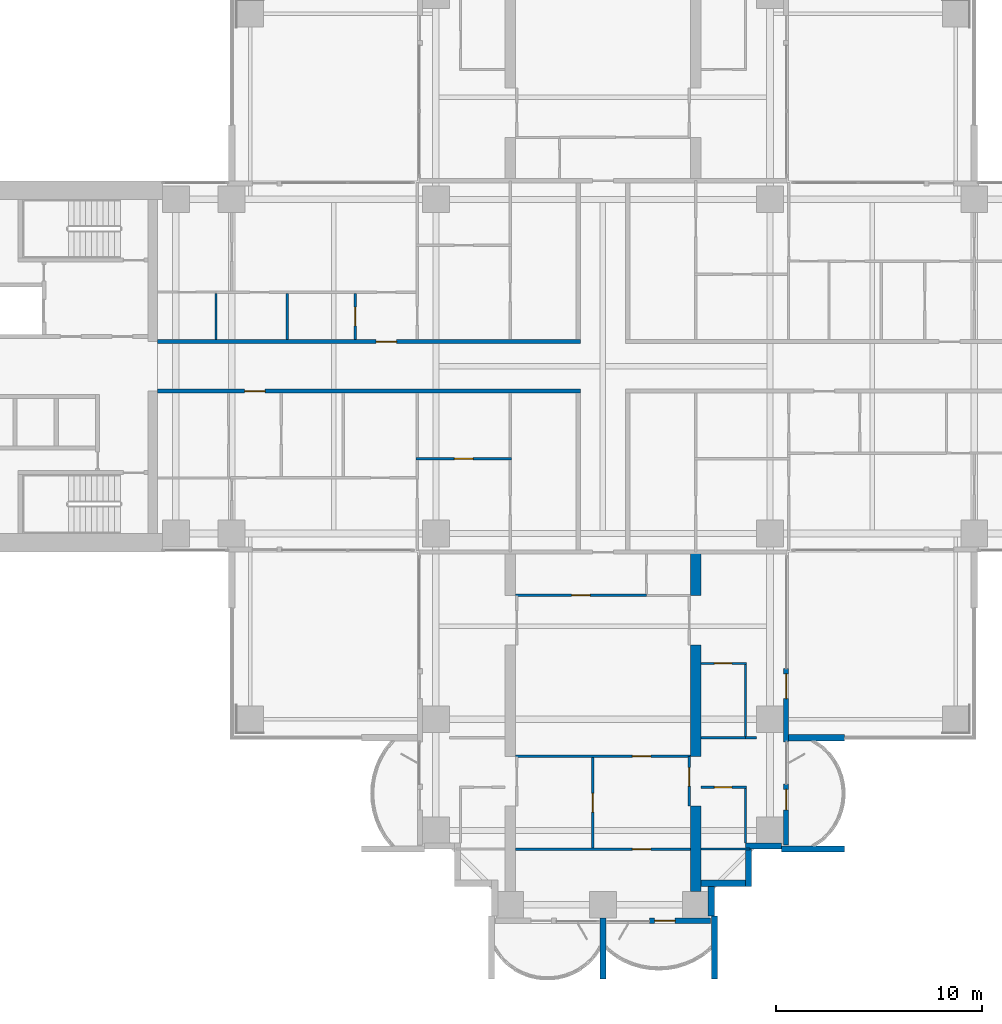
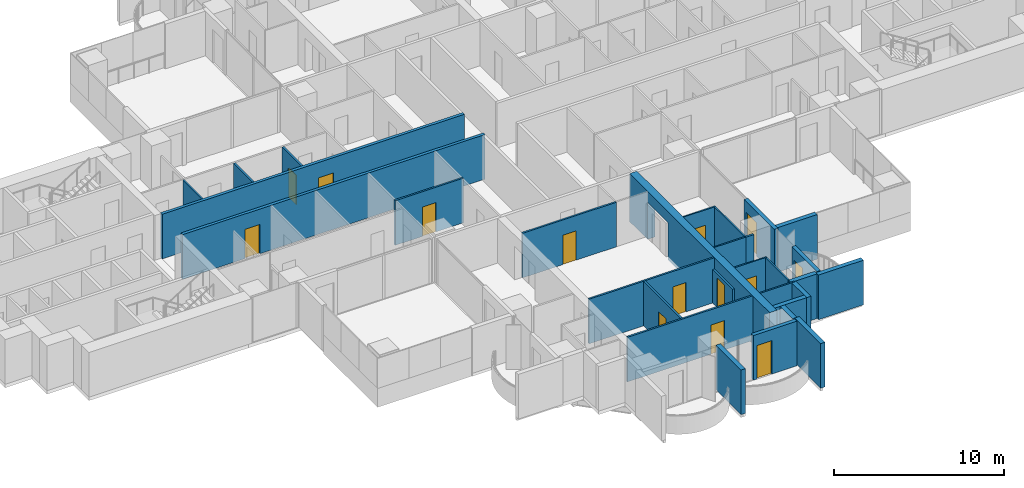
# One storey, part 11 of 21: 30 walls, 14 doors, 14 openings.
"""IFC4 building model written with IfcOpenShell, lengths in metres."""

from ifc_helpers import new_model, si_unit, direction, frame, frame_2d, origin, place, context, subcontext, project, spatial, polyline, rectangle, outline, extrude, material, layer, layer_set, material_profile, profile_set, type_object, element, fill, save


model = new_model("IFC4")

# Units and contexts
model_context = context("Model", 3, precision=1e-05, world=origin(), true_north=direction((0.0, 1.0)))
body_context = subcontext(model_context, "Body", "Model", "MODEL_VIEW")
ifc_project = project(units=[si_unit("LENGTHUNIT", "METRE"), si_unit("AREAUNIT", "SQUARE_METRE"), si_unit("VOLUMEUNIT", "CUBIC_METRE"), si_unit("PLANEANGLEUNIT", "RADIAN"), si_unit("MASSUNIT", "GRAM", prefix="KILO")], contexts=[model_context])

# Site, building, storey
site_placement = place(None, origin())
site = spatial("IfcSite", under=ifc_project, at=site_placement, CompositionType="ELEMENT")
building_placement = place(site_placement, origin())
building = spatial("IfcBuilding", under=site, at=building_placement, Name="Perihelion Cross Residences", CompositionType="ELEMENT")
storey_placement = place(building_placement, frame((0.0, 0.0, 89.0)))
storey = spatial("IfcBuildingStorey", under=building, at=storey_placement, Name="L20", CompositionType="ELEMENT", Elevation=89.0)

# Wall, opening, door
ifc_material_1 = material(Name="Plasterboard partition")
ifc_layer_1 = layer(ifc_material_1, 0.199951171875)
ifc_layer_set_1 = layer_set([ifc_layer_1], Name="Apartment separation wall 200")
wall_type_1 = type_object("IfcWallType", Name="Apartment separation wall 200", PredefinedType="PARTITIONING", material=ifc_layer_set_1)
wall_1_placement = place(storey_placement, frame((-21.60009765625, 1.199951171875, 0.0), z_axis=(0.0, 0.0, 1.0), x_axis=(1.0, 0.0, 0.0)))
wall_1 = element("IfcWall", 1, at=wall_1_placement, inside=storey, type_object=wall_type_1, Name="Partition L20 W005", PredefinedType="PARTITIONING", context=body_context, shape_type="SweptSolid", body=[
    extrude(rectangle(XDim=20.5, YDim=0.199951171875, at=frame_2d((10.25, 0.0))), origin(), (0.0, 0.0, 1.0), 3.199951171875),
])
opening_1_placement = place(wall_1_placement, frame((10.60009765625, 0.0, 0.0)))
opening_1 = element("IfcOpeningElement", 2, at=opening_1_placement, cuts=wall_1, Name="Opening L20.A55", PredefinedType="OPENING", context=body_context, shape_type="SweptSolid", body=[
    extrude(rectangle(XDim=1.0, YDim=2.10009765625, at=frame_2d((0.5, 1.050048828125))), frame((0.0, 0.10986328125, 0.0), z_axis=(0.0, -1.0, 0.0), x_axis=(1.0, 0.0, 0.0)), (0.0, 0.0, 1.0), 0.219970703125),
])
ifc_material_2 = material(Name="Timber door leaf", Category="wood")
door_type_1 = type_object("IfcDoorType", Name="Flat entrance door 1000 x 2100", OperationType="SINGLE_SWING_LEFT", PredefinedType="DOOR", material=ifc_material_2)
door_1_placement = place(opening_1_placement, origin())
door_1 = element("IfcDoor", 3, at=door_1_placement, inside=storey, type_object=door_type_1, Name="Door L20.A55", OperationType="SINGLE_SWING_LEFT", OverallHeight=2.10009765625, OverallWidth=1.0, PredefinedType="DOOR", context=body_context, shape_type="SweptSolid", body=[
    extrude(rectangle(XDim=1.0, YDim=2.10009765625, at=frame_2d((0.5, 1.050048828125))), frame((0.0, 0.02490234375, 0.0), z_axis=(0.0, -1.0, 0.0), x_axis=(1.0, 0.0, 0.0)), (0.0, 0.0, 1.0), 0.050048828125),
])
fill(opening_1, door_1)

wall_2_placement = place(storey_placement, frame((-1.10009765625, -1.199951171875, 0.0), z_axis=(0.0, 0.0, 1.0), x_axis=(-1.0, 0.0, 0.0)))
wall_2 = element("IfcWall", 4, at=wall_2_placement, inside=storey, type_object=wall_type_1, Name="Partition L20 W007", PredefinedType="PARTITIONING", context=body_context, shape_type="SweptSolid", body=[
    extrude(rectangle(XDim=20.5, YDim=0.199951171875, at=frame_2d((10.25, 0.0))), origin(), (0.0, 0.0, 1.0), 3.199951171875),
])
opening_2_placement = place(wall_2_placement, frame((15.27490234375, 0.0, 0.0)))
opening_2 = element("IfcOpeningElement", 5, at=opening_2_placement, cuts=wall_2, Name="Opening L20.A56", PredefinedType="OPENING", context=body_context, shape_type="SweptSolid", body=[
    extrude(rectangle(XDim=1.0, YDim=2.10009765625, at=frame_2d((0.5, 1.050048828125))), frame((0.0, 0.10986328125, 0.0), z_axis=(0.0, -1.0, 0.0), x_axis=(1.0, 0.0, 0.0)), (0.0, 0.0, 1.0), 0.219970703125),
])
door_2_placement = place(opening_2_placement, origin())
door_2 = element("IfcDoor", 6, at=door_2_placement, inside=storey, type_object=door_type_1, Name="Door L20.A56", OperationType="SINGLE_SWING_RIGHT", OverallHeight=2.10009765625, OverallWidth=1.0, PredefinedType="DOOR", context=body_context, shape_type="SweptSolid", body=[
    extrude(rectangle(XDim=1.0, YDim=2.10009765625, at=frame_2d((0.5, 1.050048828125))), frame((0.0, 0.02490234375, 0.0), z_axis=(0.0, -1.0, 0.0), x_axis=(1.0, 0.0, 0.0)), (0.0, 0.0, 1.0), 0.050048828125),
])
fill(opening_2, door_2)

ifc_material_3 = material(Name="Concrete C30/37, bronze-clad", Category="concrete")
ifc_layer_2 = layer(ifc_material_3, 0.25)
ifc_layer_set_2 = layer_set([ifc_layer_2], Name="Bronze-clad pier wall 250")
wall_type_2 = type_object("IfcWallType", Name="Bronze-clad pier wall 250", PredefinedType="SOLIDWALL", material=ifc_layer_set_2)
wall_3_placement = place(storey_placement, frame((2.25, -26.875, 0.0), z_axis=(0.0, 0.0, 1.0), x_axis=(1.0, 0.0, 0.0)))
wall_3 = element("IfcWall", 7, at=wall_3_placement, inside=storey, type_object=wall_type_2, Name="Wall FW1 L20 south tip south bay 2 pier", PredefinedType="SOLIDWALL", context=body_context, shape_type="SweptSolid", body=[
    extrude(rectangle(XDim=2.949951171875, YDim=0.25, at=frame_2d((1.47509765625, 0.0))), origin(), (0.0, 0.0, 1.0), 3.199951171875),
])
opening_3_placement = place(wall_3_placement, frame((0.25, 0.0, 0.0)))
opening_3 = element("IfcOpeningElement", 8, at=opening_3_placement, cuts=wall_3, Name="Opening L20.E13", PredefinedType="OPENING", context=body_context, shape_type="SweptSolid", body=[
    extrude(rectangle(XDim=1.0, YDim=2.39990234375, at=frame_2d((0.5, 1.199951171875))), frame((0.0, 0.135009765625, 0.0), z_axis=(0.0, -1.0, 0.0), x_axis=(1.0, 0.0, 0.0)), (0.0, 0.0, 1.0), 0.27001953125),
])
ifc_material_4 = material(Name="Bronze anodised aluminium, glazed", Category="aluminium")
door_type_2 = type_object("IfcDoorType", Name="Balcony door 1000 x 2400", OperationType="NOTDEFINED", PredefinedType="DOOR", material=ifc_material_4)
door_3_placement = place(opening_3_placement, origin())
door_3 = element("IfcDoor", 9, at=door_3_placement, inside=storey, type_object=door_type_2, Name="Door L20.E13 south tip south bay 2", OperationType="SINGLE_SWING_RIGHT", OverallHeight=2.39990234375, OverallWidth=1.0, PredefinedType="DOOR", context=body_context, shape_type="SweptSolid", body=[
    extrude(rectangle(XDim=1.0, YDim=2.39990234375, at=frame_2d((0.5, 1.199951171875))), frame((0.0, 0.02490234375, 0.0), z_axis=(0.0, -1.0, 0.0), x_axis=(1.0, 0.0, 0.0)), (0.0, 0.0, 1.0), 0.050048828125),
])
fill(opening_3, door_3)

wall_4_placement = place(storey_placement, frame((8.875, -23.199951171875, 0.0), z_axis=(0.0, 0.0, 1.0), x_axis=(0.0, 1.0, 0.0)))
wall_4 = element("IfcWall", 10, at=wall_4_placement, inside=storey, type_object=wall_type_2, Name="Wall FW1 L20 south side east bay 1 pier", PredefinedType="SOLIDWALL", context=body_context, shape_type="SweptSolid", body=[
    extrude(rectangle(XDim=2.949951171875, YDim=0.25, at=frame_2d((1.47509765625, 0.0))), origin(), (0.0, 0.0, 1.0), 3.199951171875),
])
opening_4_placement = place(wall_4_placement, frame((1.699951171875, 0.0, 0.0)))
opening_4 = element("IfcOpeningElement", 11, at=opening_4_placement, cuts=wall_4, Name="Opening L20.E14", PredefinedType="OPENING", context=body_context, shape_type="SweptSolid", body=[
    extrude(rectangle(XDim=1.0, YDim=2.39990234375, at=frame_2d((0.5, 1.199951171875))), frame((0.0, 0.135009765625, 0.0), z_axis=(0.0, -1.0, 0.0), x_axis=(1.0, 0.0, 0.0)), (0.0, 0.0, 1.0), 0.27001953125),
])
door_4_placement = place(opening_4_placement, origin())
door_4 = element("IfcDoor", 12, at=door_4_placement, inside=storey, type_object=door_type_2, Name="Door L20.E14 south side east bay 1", OperationType="SINGLE_SWING_LEFT", OverallHeight=2.39990234375, OverallWidth=1.0, PredefinedType="DOOR", context=body_context, shape_type="SweptSolid", body=[
    extrude(rectangle(XDim=1.0, YDim=2.39990234375, at=frame_2d((0.5, 1.199951171875))), frame((0.0, 0.02490234375, 0.0), z_axis=(0.0, -1.0, 0.0), x_axis=(1.0, 0.0, 0.0)), (0.0, 0.0, 1.0), 0.050048828125),
])
fill(opening_4, door_4)

wall_5_placement = place(storey_placement, frame((8.875, -18.199951171875, 0.0), z_axis=(0.0, 0.0, 1.0), x_axis=(0.0, 1.0, 0.0)))
wall_5 = element("IfcWall", 13, at=wall_5_placement, inside=storey, type_object=wall_type_2, Name="Wall FW1 L20 south side east bay 2 pier", PredefinedType="SOLIDWALL", context=body_context, shape_type="SweptSolid", body=[
    extrude(rectangle(XDim=3.550048828125, YDim=0.25, at=frame_2d((1.77490234375, 0.0))), origin(), (0.0, 0.0, 1.0), 3.199951171875),
])
opening_5_placement = place(wall_5_placement, frame((2.10009765625, 0.0, 0.0)))
opening_5 = element("IfcOpeningElement", 14, at=opening_5_placement, cuts=wall_5, Name="Opening L20.E15", PredefinedType="OPENING", context=body_context, shape_type="SweptSolid", body=[
    extrude(rectangle(XDim=1.199951171875, YDim=2.39990234375, at=frame_2d((0.60009765625, 1.199951171875))), frame((0.0, 0.135009765625, 0.0), z_axis=(0.0, -1.0, 0.0), x_axis=(1.0, 0.0, 0.0)), (0.0, 0.0, 1.0), 0.27001953125),
])
ifc_material_5 = material(Name="Bronze anodised aluminium, glazed", Category="aluminium")
door_type_3 = type_object("IfcDoorType", Name="Balcony door 1200 x 2400", OperationType="NOTDEFINED", PredefinedType="DOOR", material=ifc_material_5)
door_5_placement = place(opening_5_placement, origin())
door_5 = element("IfcDoor", 15, at=door_5_placement, inside=storey, type_object=door_type_3, Name="Door L20.E15 south side east bay 2", OperationType="SINGLE_SWING_RIGHT", OverallHeight=2.39990234375, OverallWidth=1.199951171875, PredefinedType="DOOR", context=body_context, shape_type="SweptSolid", body=[
    extrude(rectangle(XDim=1.199951171875, YDim=2.39990234375, at=frame_2d((0.60009765625, 1.199951171875))), frame((0.0, 0.02490234375, 0.0), z_axis=(0.0, -1.0, 0.0), x_axis=(1.0, 0.0, 0.0)), (0.0, 0.0, 1.0), 0.050048828125),
])
fill(opening_5, door_5)

# Walls
ifc_material_6 = material(Name="Concrete C30/37, bronze-clad", Category="concrete")
ifc_layer_3 = layer(ifc_material_6, 0.300048828125)
ifc_layer_set_3 = layer_set([ifc_layer_3], Name="Bronze-clad serration wall 300")
wall_type_3 = type_object("IfcWallType", Name="Bronze-clad serration wall 300", PredefinedType="SOLIDWALL", material=ifc_layer_set_3)
wall_6_placement = place(storey_placement, frame((5.25, -26.64990234375, 0.0), z_axis=(0.0, 0.0, 1.0), x_axis=(0.0, 1.0, 0.0)))
element("IfcWall", 16, at=wall_6_placement, inside=storey, type_object=wall_type_3, Name="Wall SR1 L20 south corner south-east 1", PredefinedType="SOLIDWALL", context=body_context, shape_type="SweptSolid", body=[
    extrude(rectangle(XDim=1.449951171875, YDim=0.300048828125, at=frame_2d((0.72509765625, 0.0))), origin(), (0.0, 0.0, 1.0), 3.199951171875),
])
wall_7_placement = place(storey_placement, frame((4.75, -25.050048828125, 0.0), z_axis=(0.0, 0.0, 1.0), x_axis=(1.0, 0.0, 0.0)))
element("IfcWall", 17, at=wall_7_placement, inside=storey, type_object=wall_type_3, Name="Wall SR1 L20 south corner south-east 2", PredefinedType="SOLIDWALL", context=body_context, shape_type="SweptSolid", body=[
    extrude(rectangle(XDim=2.14990234375, YDim=0.300048828125, at=frame_2d((1.074951171875, 0.0))), origin(), (0.0, 0.0, 1.0), 3.199951171875),
])
wall_8_placement = place(storey_placement, frame((7.050048828125, -25.199951171875, 0.0), z_axis=(0.0, 0.0, 1.0), x_axis=(0.0, 1.0, 0.0)))
element("IfcWall", 18, at=wall_8_placement, inside=storey, type_object=wall_type_3, Name="Wall SR1 L20 south corner south-east 3", PredefinedType="SOLIDWALL", context=body_context, shape_type="SweptSolid", body=[
    extrude(rectangle(XDim=1.800048828125, YDim=0.300048828125, at=frame_2d((0.89990234375, 0.0))), origin(), (0.0, 0.0, 1.0), 3.199951171875),
])
wall_9_placement = place(storey_placement, frame((6.89990234375, -23.25, 0.0), z_axis=(0.0, 0.0, 1.0), x_axis=(1.0, 0.0, 0.0)))
element("IfcWall", 19, at=wall_9_placement, inside=storey, type_object=wall_type_3, Name="Wall SR1 L20 south corner south-east 4", PredefinedType="SOLIDWALL", context=body_context, shape_type="SweptSolid", body=[
    extrude(rectangle(XDim=1.75, YDim=0.300048828125, at=frame_2d((0.875, 0.0))), origin(), (0.0, 0.0, 1.0), 3.199951171875),
])

# Wall, opening, door
ifc_material_7 = material(Name="Plasterboard partition")
ifc_layer_4 = layer(ifc_material_7, 0.1201171875)
ifc_layer_set_4 = layer_set([ifc_layer_4], Name="Infill panel 120")
wall_type_4 = type_object("IfcWallType", Name="Infill panel 120", PredefinedType="PARTITIONING", material=ifc_layer_set_4)
wall_10_placement = place(storey_placement, frame((4.18994140625, -18.89990234375, 0.0), z_axis=(0.0, 0.0, 1.0), x_axis=(0.0, -1.0, 0.0)))
wall_10 = element("IfcWall", 20, at=wall_10_placement, inside=storey, type_object=wall_type_4, Name="Partition L20 WI06", PredefinedType="PARTITIONING", context=body_context, shape_type="SweptSolid", body=[
    extrude(rectangle(XDim=2.400146484375, YDim=0.1201171875, at=frame_2d((1.2001953125, 0.0))), origin(), (0.0, 0.0, 1.0), 2.39990234375),
])
opening_6_placement = place(wall_10_placement, frame((0.550048828125, 0.0, 0.0)))
opening_6 = element("IfcOpeningElement", 21, at=opening_6_placement, cuts=wall_10, Name="Opening L20.A62", PredefinedType="OPENING", context=body_context, shape_type="SweptSolid", body=[
    extrude(rectangle(XDim=0.89990234375, YDim=2.10009765625, at=frame_2d((0.449951171875, 1.050048828125))), frame((0.0, 0.070068359375, 0.0), z_axis=(0.0, -1.0, 0.0), x_axis=(1.0, 0.0, 0.0)), (0.0, 0.0, 1.0), 0.14013671875),
])
ifc_material_8 = material(Name="Timber door leaf", Category="wood")
door_type_4 = type_object("IfcDoorType", Name="Interior room door 900 x 2100", OperationType="SINGLE_SWING_LEFT", PredefinedType="DOOR", material=ifc_material_8)
door_6_placement = place(opening_6_placement, origin())
door_6 = element("IfcDoor", 22, at=door_6_placement, inside=storey, type_object=door_type_4, Name="Door L20.A62", OperationType="SINGLE_SWING_LEFT", OverallHeight=2.10009765625, OverallWidth=0.89990234375, PredefinedType="DOOR", context=body_context, shape_type="SweptSolid", body=[
    extrude(rectangle(XDim=0.89990234375, YDim=2.10009765625, at=frame_2d((0.449951171875, 1.050048828125))), frame((0.0, 0.02490234375, 0.0), z_axis=(0.0, -1.0, 0.0), x_axis=(1.0, 0.0, 0.0)), (0.0, 0.0, 1.0), 0.050048828125),
])
fill(opening_6, door_6)

ifc_material_9 = material(Name="Plasterboard partition")
ifc_layer_5 = layer(ifc_material_9, 0.1201171875)
ifc_layer_set_5 = layer_set([ifc_layer_5], Name="Partition wall 120")
wall_type_5 = type_object("IfcWallType", Name="Partition wall 120", PredefinedType="PARTITIONING", material=ifc_layer_set_5)
wall_11_placement = place(storey_placement, frame((-12.0, 1.300048828125, 0.0), z_axis=(0.0, 0.0, 1.0), x_axis=(0.0, 1.0, 0.0)))
wall_11 = element("IfcWall", 23, at=wall_11_placement, inside=storey, type_object=wall_type_5, Name="Partition L20 W031", PredefinedType="PARTITIONING", context=body_context, shape_type="SweptSolid", body=[
    extrude(rectangle(XDim=2.239990234375, YDim=0.1201171875, at=frame_2d((1.1201171875, 0.0))), origin(), (0.0, 0.0, 1.0), 3.199951171875),
])
opening_7_placement = place(wall_11_placement, frame((0.669921875, 0.0, 0.0)))
opening_7 = element("IfcOpeningElement", 24, at=opening_7_placement, cuts=wall_11, Name="Opening L20.A21", PredefinedType="OPENING", context=body_context, shape_type="SweptSolid", body=[
    extrude(rectangle(XDim=0.89990234375, YDim=2.10009765625, at=frame_2d((0.449951171875, 1.050048828125))), frame((0.0, 0.070068359375, 0.0), z_axis=(0.0, -1.0, 0.0), x_axis=(1.0, 0.0, 0.0)), (0.0, 0.0, 1.0), 0.14013671875),
])
door_7_placement = place(opening_7_placement, origin())
door_7 = element("IfcDoor", 25, at=door_7_placement, inside=storey, type_object=door_type_4, Name="Door L20.A21", OperationType="SINGLE_SWING_RIGHT", OverallHeight=2.10009765625, OverallWidth=0.89990234375, PredefinedType="DOOR", context=body_context, shape_type="SweptSolid", body=[
    extrude(rectangle(XDim=0.89990234375, YDim=2.10009765625, at=frame_2d((0.449951171875, 1.050048828125))), frame((0.0, 0.02490234375, 0.0), z_axis=(0.0, -1.0, 0.0), x_axis=(1.0, 0.0, 0.0)), (0.0, 0.0, 1.0), 0.050048828125),
])
fill(opening_7, door_7)

# Wall
wall_12_placement = place(storey_placement, frame((-15.300048828125, 1.300048828125, 0.0), z_axis=(0.0, 0.0, 1.0), x_axis=(0.0, 1.0, 0.0)))
element("IfcWall", 26, at=wall_12_placement, inside=storey, type_object=wall_type_5, Name="Partition L20 W034", PredefinedType="PARTITIONING", context=body_context, shape_type="SweptSolid", body=[
    extrude(rectangle(XDim=2.239990234375, YDim=0.1201171875, at=frame_2d((1.1201171875, 0.0))), origin(), (0.0, 0.0, 1.0), 3.199951171875),
])

# Wall, opening, door
wall_13_placement = place(storey_placement, frame((-4.43994140625, -4.47607421875, 0.0), z_axis=(0.0, 0.0, 1.0), x_axis=(-1.0, 0.0, 0.0)))
wall_13 = element("IfcWall", 27, at=wall_13_placement, inside=storey, type_object=wall_type_5, Name="Partition L20 W047", PredefinedType="PARTITIONING", context=body_context, shape_type="SweptSolid", body=[
    extrude(rectangle(XDim=4.6201171875, YDim=0.1201171875, at=frame_2d((2.31005859375, 0.0))), origin(), (0.0, 0.0, 1.0), 3.199951171875),
])
opening_8_placement = place(wall_13_placement, frame((1.860107421875, 0.0, 0.0)))
opening_8 = element("IfcOpeningElement", 28, at=opening_8_placement, cuts=wall_13, Name="Opening L20.A27", PredefinedType="OPENING", context=body_context, shape_type="SweptSolid", body=[
    extrude(rectangle(XDim=0.89990234375, YDim=2.10009765625, at=frame_2d((0.449951171875, 1.050048828125))), frame((0.0, 0.070068359375, 0.0), z_axis=(0.0, -1.0, 0.0), x_axis=(1.0, 0.0, 0.0)), (0.0, 0.0, 1.0), 0.14013671875),
])
door_8_placement = place(opening_8_placement, origin())
door_8 = element("IfcDoor", 29, at=door_8_placement, inside=storey, type_object=door_type_4, Name="Door L20.A27", OperationType="SINGLE_SWING_RIGHT", OverallHeight=2.10009765625, OverallWidth=0.89990234375, PredefinedType="DOOR", context=body_context, shape_type="SweptSolid", body=[
    extrude(rectangle(XDim=0.89990234375, YDim=2.10009765625, at=frame_2d((0.449951171875, 1.050048828125))), frame((0.0, 0.02490234375, 0.0), z_axis=(0.0, -1.0, 0.0), x_axis=(1.0, 0.0, 0.0)), (0.0, 0.0, 1.0), 0.050048828125),
])
fill(opening_8, door_8)

wall_14_placement = place(storey_placement, frame((2.10009765625, -11.10009765625, 0.0), z_axis=(0.0, 0.0, 1.0), x_axis=(-1.0, 0.0, 0.0)))
wall_14 = element("IfcWall", 30, at=wall_14_placement, inside=storey, type_object=wall_type_5, Name="Partition L20 W070", PredefinedType="PARTITIONING", context=body_context, shape_type="SweptSolid", body=[
    extrude(rectangle(XDim=6.35009765625, YDim=0.1201171875, at=frame_2d((3.175048828125, 0.0))), origin(), (0.0, 0.0, 1.0), 3.199951171875),
])
opening_9_placement = place(wall_14_placement, frame((2.72509765625, 0.0, 0.0)))
opening_9 = element("IfcOpeningElement", 31, at=opening_9_placement, cuts=wall_14, Name="Opening L20.A46", PredefinedType="OPENING", context=body_context, shape_type="SweptSolid", body=[
    extrude(rectangle(XDim=0.89990234375, YDim=2.10009765625, at=frame_2d((0.449951171875, 1.050048828125))), frame((0.0, 0.070068359375, 0.0), z_axis=(0.0, -1.0, 0.0), x_axis=(1.0, 0.0, 0.0)), (0.0, 0.0, 1.0), 0.14013671875),
])
door_9_placement = place(opening_9_placement, origin())
door_9 = element("IfcDoor", 32, at=door_9_placement, inside=storey, type_object=door_type_4, Name="Door L20.A46", OperationType="SINGLE_SWING_RIGHT", OverallHeight=2.10009765625, OverallWidth=0.89990234375, PredefinedType="DOOR", context=body_context, shape_type="SweptSolid", body=[
    extrude(rectangle(XDim=0.89990234375, YDim=2.10009765625, at=frame_2d((0.449951171875, 1.050048828125))), frame((0.0, 0.02490234375, 0.0), z_axis=(0.0, -1.0, 0.0), x_axis=(1.0, 0.0, 0.0)), (0.0, 0.0, 1.0), 0.050048828125),
])
fill(opening_9, door_9)

wall_15_placement = place(storey_placement, frame((4.25, -18.89990234375, 0.0), z_axis=(0.0, 0.0, 1.0), x_axis=(-1.0, 0.0, 0.0)))
wall_15 = element("IfcWall", 33, at=wall_15_placement, inside=storey, type_object=wall_type_5, Name="Partition L20 W072", PredefinedType="PARTITIONING", context=body_context, shape_type="SweptSolid", body=[
    extrude(rectangle(XDim=8.5, YDim=0.1201171875, at=frame_2d((4.25, 0.0))), origin(), (0.0, 0.0, 1.0), 3.199951171875),
])
opening_10_placement = place(wall_15_placement, frame((1.925048828125, 0.0, 0.0)))
opening_10 = element("IfcOpeningElement", 34, at=opening_10_placement, cuts=wall_15, Name="Opening L20.A47", PredefinedType="OPENING", context=body_context, shape_type="SweptSolid", body=[
    extrude(rectangle(XDim=0.89990234375, YDim=2.10009765625, at=frame_2d((0.449951171875, 1.050048828125))), frame((0.0, 0.070068359375, 0.0), z_axis=(0.0, -1.0, 0.0), x_axis=(1.0, 0.0, 0.0)), (0.0, 0.0, 1.0), 0.14013671875),
])
door_10_placement = place(opening_10_placement, origin())
door_10 = element("IfcDoor", 35, at=door_10_placement, inside=storey, type_object=door_type_4, Name="Door L20.A47", OperationType="SINGLE_SWING_RIGHT", OverallHeight=2.10009765625, OverallWidth=0.89990234375, PredefinedType="DOOR", context=body_context, shape_type="SweptSolid", body=[
    extrude(rectangle(XDim=0.89990234375, YDim=2.10009765625, at=frame_2d((0.449951171875, 1.050048828125))), frame((0.0, 0.02490234375, 0.0), z_axis=(0.0, -1.0, 0.0), x_axis=(1.0, 0.0, 0.0)), (0.0, 0.0, 1.0), 0.050048828125),
])
fill(opening_10, door_10)

wall_16_placement = place(storey_placement, frame((-0.5, -23.340087890625, 0.0), z_axis=(0.0, 0.0, 1.0), x_axis=(0.0, 1.0, 0.0)))
wall_16 = element("IfcWall", 36, at=wall_16_placement, inside=storey, type_object=wall_type_5, Name="Partition L20 W073", PredefinedType="PARTITIONING", context=body_context, shape_type="SweptSolid", body=[
    extrude(rectangle(XDim=4.380126953125, YDim=0.1201171875, at=frame_2d((2.18994140625, 0.0))), origin(), (0.0, 0.0, 1.0), 3.199951171875),
])
opening_11_placement = place(wall_16_placement, frame((1.739990234375, 0.0, 0.0)))
opening_11 = element("IfcOpeningElement", 37, at=opening_11_placement, cuts=wall_16, Name="Opening L20.A48", PredefinedType="OPENING", context=body_context, shape_type="SweptSolid", body=[
    extrude(rectangle(XDim=0.89990234375, YDim=2.10009765625, at=frame_2d((0.449951171875, 1.050048828125))), frame((0.0, 0.070068359375, 0.0), z_axis=(0.0, -1.0, 0.0), x_axis=(1.0, 0.0, 0.0)), (0.0, 0.0, 1.0), 0.14013671875),
])
door_11_placement = place(opening_11_placement, origin())
door_11 = element("IfcDoor", 38, at=door_11_placement, inside=storey, type_object=door_type_4, Name="Door L20.A48", OperationType="SINGLE_SWING_LEFT", OverallHeight=2.10009765625, OverallWidth=0.89990234375, PredefinedType="DOOR", context=body_context, shape_type="SweptSolid", body=[
    extrude(rectangle(XDim=0.89990234375, YDim=2.10009765625, at=frame_2d((0.449951171875, 1.050048828125))), frame((0.0, 0.02490234375, 0.0), z_axis=(0.0, -1.0, 0.0), x_axis=(1.0, 0.0, 0.0)), (0.0, 0.0, 1.0), 0.050048828125),
])
fill(opening_11, door_11)

wall_17_placement = place(storey_placement, frame((4.25, -23.39990234375, 0.0), z_axis=(0.0, 0.0, 1.0), x_axis=(-1.0, 0.0, 0.0)))
wall_17 = element("IfcWall", 39, at=wall_17_placement, inside=storey, type_object=wall_type_5, Name="Partition L20 W074", PredefinedType="PARTITIONING", context=body_context, shape_type="SweptSolid", body=[
    extrude(rectangle(XDim=8.5, YDim=0.1201171875, at=frame_2d((4.25, 0.0))), origin(), (0.0, 0.0, 1.0), 3.199951171875),
])
opening_12_placement = place(wall_17_placement, frame((1.925048828125, 0.0, 0.0)))
opening_12 = element("IfcOpeningElement", 40, at=opening_12_placement, cuts=wall_17, Name="Opening L20.A49", PredefinedType="OPENING", context=body_context, shape_type="SweptSolid", body=[
    extrude(rectangle(XDim=0.89990234375, YDim=2.10009765625, at=frame_2d((0.449951171875, 1.050048828125))), frame((0.0, 0.070068359375, 0.0), z_axis=(0.0, -1.0, 0.0), x_axis=(1.0, 0.0, 0.0)), (0.0, 0.0, 1.0), 0.14013671875),
])
door_12_placement = place(opening_12_placement, origin())
door_12 = element("IfcDoor", 41, at=door_12_placement, inside=storey, type_object=door_type_4, Name="Door L20.A49", OperationType="SINGLE_SWING_LEFT", OverallHeight=2.10009765625, OverallWidth=0.89990234375, PredefinedType="DOOR", context=body_context, shape_type="SweptSolid", body=[
    extrude(rectangle(XDim=0.89990234375, YDim=2.10009765625, at=frame_2d((0.449951171875, 1.050048828125))), frame((0.0, 0.02490234375, 0.0), z_axis=(0.0, -1.0, 0.0), x_axis=(1.0, 0.0, 0.0)), (0.0, 0.0, 1.0), 0.050048828125),
])
fill(opening_12, door_12)

# Walls
wall_18_placement = place(storey_placement, frame((7.449951171875, -18.0, 0.0), z_axis=(0.0, 0.0, 1.0), x_axis=(-1.0, 0.0, 0.0)))
element("IfcWall", 42, at=wall_18_placement, inside=storey, type_object=wall_type_5, Name="Partition L20 W077", PredefinedType="PARTITIONING", context=body_context, shape_type="SweptSolid", body=[
    extrude(rectangle(XDim=0.550048828125, YDim=0.1201171875, at=frame_2d((0.27490234375, 0.0))), origin(), (0.0, 0.0, 1.0), 3.199951171875),
])
ifc_material_10 = material(Name="Precast concrete C50/60", Category="concrete")
ifc_layer_6 = layer(ifc_material_10, 0.300048828125)
ifc_layer_set_6 = layer_set([ifc_layer_6], Name="Precast concrete C50/60 blade wall 300")
wall_type_6 = type_object("IfcWallType", Name="Precast concrete C50/60 blade wall 300", PredefinedType="SOLIDWALL", material=ifc_layer_set_6)
wall_19_placement = place(storey_placement, frame((0.0, -26.75, 0.0), z_axis=(0.0, 0.0, 1.0), x_axis=(0.0, -1.0, 0.0)))
element("IfcWall", 43, at=wall_19_placement, inside=storey, type_object=wall_type_6, Name="Wall BL1 L20 no. 9", PredefinedType="SOLIDWALL", context=body_context, shape_type="SweptSolid", body=[
    extrude(rectangle(XDim=2.949951171875, YDim=0.300048828125, at=frame_2d((1.47509765625, 0.0))), origin(), (0.0, 0.0, 1.0), 3.199951171875),
])
for number, where, z_axis, x_axis, name in (
    (44, (5.39990234375, -26.64990234375, 0.0), (0.0, 0.0, 1.0), (0.0, -1.0, 0.0), "Wall BL1 L20 no. 13"),
    (45, (8.64990234375, -23.39990234375, 0.0), (0.0, 0.0, 1.0), (1.0, 0.0, 0.0), "Wall BL1 L20 no. 16"),
):
    element("IfcWall", number, at=place(storey_placement, frame(where, z_axis=z_axis, x_axis=x_axis)), inside=storey, type_object=wall_type_6, Name=name, PredefinedType="SOLIDWALL", context=body_context, shape_type="SweptSolid", body=[
        extrude(rectangle(XDim=3.050048828125, YDim=0.300048828125, at=frame_2d((1.52490234375, 0.0))), origin(), (0.0, 0.0, 1.0), 3.199951171875),
    ])
wall_20_placement = place(storey_placement, frame((9.0, -18.0, 0.0), z_axis=(0.0, 0.0, 1.0), x_axis=(1.0, 0.0, 0.0)))
element("IfcWall", 46, at=wall_20_placement, inside=storey, type_object=wall_type_6, Name="Wall BL1 L20 no. 15", PredefinedType="SOLIDWALL", context=body_context, shape_type="SweptSolid", body=[
    extrude(rectangle(XDim=2.699951171875, YDim=0.300048828125, at=frame_2d((1.35009765625, 0.0))), origin(), (0.0, 0.0, 1.0), 3.199951171875),
])
ifc_material_11 = material(Name="Concrete C60/75", Category="concrete")
ifc_material_profile = material_profile(ifc_material_11, outline(polyline([(0.0, 0.0), (4.14990234375, 0.0), (4.14990234375, 2.64990234375), (6.550048828125, 2.64990234375), (6.550048828125, 0.0), (11.949951171875, 0.0), (11.949951171875, 2.64990234375), (14.35009765625, 2.64990234375), (14.35009765625, 0.0), (16.449951171875, 0.0), (16.449951171875, 3.449951171875), (0.0, 3.449951171875), (0.0, 0.0)])), Name="Tip spine wall")
ifc_profile_set = profile_set([ifc_material_profile], Name="Concrete C60/75")
wall_type_7 = type_object("IfcWallType", Name="Tip spine wall 500 with 2 door openings 16450 long 3450 high concrete C60/75 hand A", PredefinedType="SHEAR", material=ifc_profile_set)
wall_21_placement = place(storey_placement, frame((4.25, -25.449951171875, -0.25), z_axis=(1.0, 0.0, 0.0), x_axis=(0.0, 1.0, 0.0)))
element("IfcWall", 47, at=wall_21_placement, inside=storey, type_object=wall_type_7, Name="Shear wall SW27 L20 south east", PredefinedType="SHEAR", context=body_context, shape_type="SweptSolid", body=[
    extrude(outline(polyline([(0.0, 0.0), (4.14990234375, 0.0), (4.14990234375, 2.64990234375), (6.550048828125, 2.64990234375), (6.550048828125, 0.0), (11.949951171875, 0.0), (11.949951171875, 2.64990234375), (14.35009765625, 2.64990234375), (14.35009765625, 0.0), (16.449951171875, 0.0), (16.449951171875, 3.449951171875), (0.0, 3.449951171875), (0.0, 0.0)])), origin(), (0.0, 0.0, 1.0), 0.5),
])
ifc_material_12 = material(Name="Plasterboard partition")
ifc_layer_7 = layer(ifc_material_12, 0.10009765625)
ifc_layer_set_7 = layer_set([ifc_layer_7], Name="Wet room wall 100")
wall_type_8 = type_object("IfcWallType", Name="Wet room wall 100", PredefinedType="PARTITIONING", material=ifc_layer_set_7)
wall_22_placement = place(storey_placement, frame((-18.75, 1.300048828125, 0.0), z_axis=(0.0, 0.0, 1.0), x_axis=(0.0, 1.0, 0.0)))
element("IfcWall", 48, at=wall_22_placement, inside=storey, type_object=wall_type_8, Name="Partition L20 W035", PredefinedType="PARTITIONING", context=body_context, shape_type="SweptSolid", body=[
    extrude(rectangle(XDim=2.239990234375, YDim=0.10009765625, at=frame_2d((1.1201171875, 0.0))), origin(), (0.0, 0.0, 1.0), 3.199951171875),
])
wall_23_placement = place(storey_placement, frame((6.89990234375, -17.93994140625, 0.0), z_axis=(0.0, 0.0, 1.0), x_axis=(0.0, 1.0, 0.0)))
element("IfcWall", 49, at=wall_23_placement, inside=storey, type_object=wall_type_8, Name="Partition L20 W075", PredefinedType="PARTITIONING", context=body_context, shape_type="SweptSolid", body=[
    extrude(rectangle(XDim=3.489990234375, YDim=0.10009765625, at=frame_2d((1.7451171875, 0.0))), origin(), (0.0, 0.0, 1.0), 3.199951171875),
])

# Wall, opening, door
wall_24_placement = place(storey_placement, frame((6.949951171875, -14.39990234375, 0.0), z_axis=(0.0, 0.0, 1.0), x_axis=(-1.0, 0.0, 0.0)))
wall_24 = element("IfcWall", 50, at=wall_24_placement, inside=storey, type_object=wall_type_8, Name="Partition L20 W076", PredefinedType="PARTITIONING", context=body_context, shape_type="SweptSolid", body=[
    extrude(rectangle(XDim=2.199951171875, YDim=0.10009765625, at=frame_2d((1.10009765625, 0.0))), origin(), (0.0, 0.0, 1.0), 3.199951171875),
])
opening_13_placement = place(wall_24_placement, frame((0.699951171875, 0.0, 0.0)))
opening_13 = element("IfcOpeningElement", 51, at=opening_13_placement, cuts=wall_24, Name="Opening L20.A50", PredefinedType="OPENING", context=body_context, shape_type="SweptSolid", body=[
    extrude(rectangle(XDim=0.85009765625, YDim=2.10009765625, at=frame_2d((0.425048828125, 1.050048828125))), frame((0.0, 0.06005859375, 0.0), z_axis=(0.0, -1.0, 0.0), x_axis=(1.0, 0.0, 0.0)), (0.0, 0.0, 1.0), 0.1201171875),
])
ifc_material_13 = material(Name="Timber door leaf", Category="wood")
door_type_5 = type_object("IfcDoorType", Name="Interior bathroom door 850 x 2100", OperationType="SINGLE_SWING_LEFT", PredefinedType="DOOR", material=ifc_material_13)
door_13_placement = place(opening_13_placement, origin())
door_13 = element("IfcDoor", 52, at=door_13_placement, inside=storey, type_object=door_type_5, Name="Door L20.A50", OperationType="SINGLE_SWING_RIGHT", OverallHeight=2.10009765625, OverallWidth=0.85009765625, PredefinedType="DOOR", context=body_context, shape_type="SweptSolid", body=[
    extrude(rectangle(XDim=0.85009765625, YDim=2.10009765625, at=frame_2d((0.425048828125, 1.050048828125))), frame((0.0, 0.02490234375, 0.0), z_axis=(0.0, -1.0, 0.0), x_axis=(1.0, 0.0, 0.0)), (0.0, 0.0, 1.0), 0.050048828125),
])
fill(opening_13, door_13)

# Walls
wall_25_placement = place(storey_placement, frame((6.89990234375, -18.0, 0.0), z_axis=(0.0, 0.0, 1.0), x_axis=(-1.0, 0.0, 0.0)))
element("IfcWall", 53, at=wall_25_placement, inside=storey, type_object=wall_type_8, Name="Partition L20 W078", PredefinedType="PARTITIONING", context=body_context, shape_type="SweptSolid", body=[
    extrude(rectangle(XDim=2.14990234375, YDim=0.10009765625, at=frame_2d((1.074951171875, 0.0))), origin(), (0.0, 0.0, 1.0), 3.199951171875),
])
wall_26_placement = place(storey_placement, frame((6.89990234375, -23.10009765625, 0.0), z_axis=(0.0, 0.0, 1.0), x_axis=(0.0, 1.0, 0.0)))
element("IfcWall", 54, at=wall_26_placement, inside=storey, type_object=wall_type_8, Name="Partition L20 W079", PredefinedType="PARTITIONING", context=body_context, shape_type="SweptSolid", body=[
    extrude(rectangle(XDim=2.650146484375, YDim=0.10009765625, at=frame_2d((1.3251953125, 0.0))), origin(), (0.0, 0.0, 1.0), 3.199951171875),
])

# Wall, opening, door
wall_27_placement = place(storey_placement, frame((6.949951171875, -20.39990234375, 0.0), z_axis=(0.0, 0.0, 1.0), x_axis=(-1.0, 0.0, 0.0)))
wall_27 = element("IfcWall", 55, at=wall_27_placement, inside=storey, type_object=wall_type_8, Name="Partition L20 W080", PredefinedType="PARTITIONING", context=body_context, shape_type="SweptSolid", body=[
    extrude(rectangle(XDim=2.199951171875, YDim=0.10009765625, at=frame_2d((1.10009765625, 0.0))), origin(), (0.0, 0.0, 1.0), 3.199951171875),
])
opening_14_placement = place(wall_27_placement, frame((0.699951171875, 0.0, 0.0)))
opening_14 = element("IfcOpeningElement", 56, at=opening_14_placement, cuts=wall_27, Name="Opening L20.A51", PredefinedType="OPENING", context=body_context, shape_type="SweptSolid", body=[
    extrude(rectangle(XDim=0.85009765625, YDim=2.10009765625, at=frame_2d((0.425048828125, 1.050048828125))), frame((0.0, 0.06005859375, 0.0), z_axis=(0.0, -1.0, 0.0), x_axis=(1.0, 0.0, 0.0)), (0.0, 0.0, 1.0), 0.1201171875),
])
door_14_placement = place(opening_14_placement, origin())
door_14 = element("IfcDoor", 57, at=door_14_placement, inside=storey, type_object=door_type_5, Name="Door L20.A51", OperationType="SINGLE_SWING_LEFT", OverallHeight=2.10009765625, OverallWidth=0.85009765625, PredefinedType="DOOR", context=body_context, shape_type="SweptSolid", body=[
    extrude(rectangle(XDim=0.85009765625, YDim=2.10009765625, at=frame_2d((0.425048828125, 1.050048828125))), frame((0.0, 0.02490234375, 0.0), z_axis=(0.0, -1.0, 0.0), x_axis=(1.0, 0.0, 0.0)), (0.0, 0.0, 1.0), 0.050048828125),
])
fill(opening_14, door_14)

# Wall
wall_28_placement = place(storey_placement, frame((7.1201171875, -23.39990234375, 0.0), z_axis=(0.0, 0.0, 1.0), x_axis=(-1.0, 0.0, 0.0)))
element("IfcWall", 58, at=wall_28_placement, inside=storey, type_object=wall_type_8, Name="Partition L20 W081", PredefinedType="PARTITIONING", context=body_context, shape_type="SweptSolid", body=[
    extrude(rectangle(XDim=2.3701171875, YDim=0.10009765625, at=frame_2d((1.18505859375, 0.0))), origin(), (0.0, 0.0, 1.0), 3.199951171875),
])

save(model, "model.ifc")
